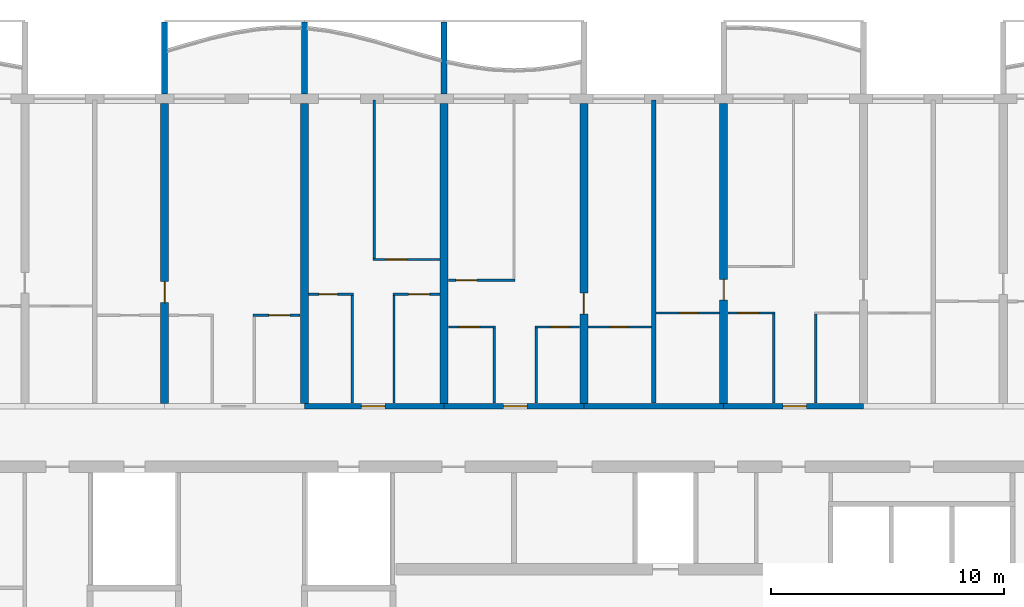
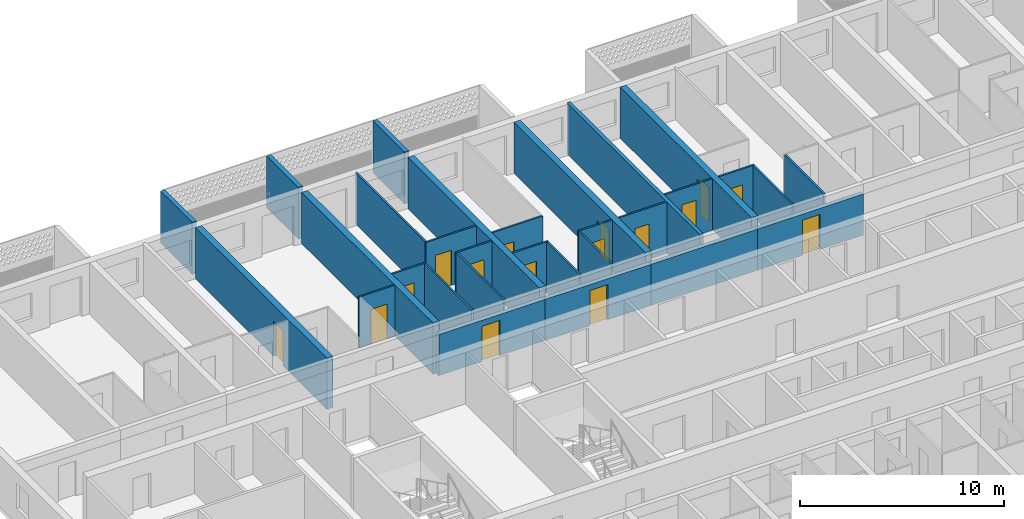
# One storey, part 10 of 31: 30 walls, 16 doors, 16 openings.
"""IFC4 building model written with IfcOpenShell, lengths in metres."""

import ifcopenshell
import ifcopenshell.guid

model = None  # the IFC model being written
_history = None  # IfcOwnerHistory: only IFC2X3 demands one
_inside = {}  # id of a spatial element -> (the spatial element, [elements in it])
_under = {}  # id of a project, library or spatial element -> (it, [spatial elements below it])
_declared = {}  # id of a project -> (the project, [libraries it declares])
_typed = {}  # id of a type object -> (the type object, [elements of that type])
_made_of = {}  # id of a material, layer set ... -> (it, [elements and type objects made of it])


def new_model(schema):
    """Start an empty IFC model of exactly this schema.

    Asked for "IFC4X3", IfcOpenShell would pick the latest addendum, in which some entities
    have other attributes; the version numbers below select the first issue.
    IFC2X3 requires an IfcOwnerHistory on every rooted entity: one is made here for all.
    """
    global model, _history
    if schema == "IFC4X3":
        model = ifcopenshell.file(schema_version=(4, 3, 0, 0))
    else:
        model = ifcopenshell.file(schema=schema)
    _inside.clear()
    _under.clear()
    _declared.clear()
    _typed.clear()
    _made_of.clear()
    _history = None
    if model.schema == "IFC2X3":
        org = make("IfcOrganization", Name="unknown")
        user = make(
            "IfcPersonAndOrganization",
            ThePerson=make("IfcPerson", FamilyName="unknown"),
            TheOrganization=org,
        )
        app = make(
            "IfcApplication",
            ApplicationDeveloper=org,
            Version="unknown",
            ApplicationFullName="unknown",
            ApplicationIdentifier="unknown",
        )
        _history = make(
            "IfcOwnerHistory",
            OwningUser=user,
            OwningApplication=app,
            ChangeAction="ADDED",
            CreationDate=0,
        )
    return model


def make(cls, **values):
    """One entity of the class cls with the attributes given. An attribute that is None is left unset."""
    return model.create_entity(
        cls, **{name: value for name, value in values.items() if value is not None}
    )


def rooted(cls, **values):
    """An entity with a GlobalId (a new one), such as an element, a storey or a relation."""
    return make(cls, GlobalId=ifcopenshell.guid.new(), OwnerHistory=_history, **values)


def si_unit(unit_type, name, prefix=None):
    """IfcSIUnit, for example si_unit("LENGTHUNIT", "METRE", prefix="MILLI")."""
    return make("IfcSIUnit", UnitType=unit_type, Prefix=prefix, Name=name)


def assignment(units):
    """IfcUnitAssignment: the units of a project."""
    return None if units is None else make("IfcUnitAssignment", Units=units)


def point(xyz):
    """IfcCartesianPoint."""
    return None if xyz is None else make("IfcCartesianPoint", Coordinates=xyz)


def direction(xyz):
    """IfcDirection."""
    return None if xyz is None else make("IfcDirection", DirectionRatios=xyz)


def frame(location, z_axis=None, x_axis=None):
    """IfcAxis2Placement3D, a coordinate frame: its origin and axes. An axis left out is left unset."""
    return make(
        "IfcAxis2Placement3D",
        Location=point(location),
        Axis=direction(z_axis),
        RefDirection=direction(x_axis),
    )


def frame_2d(location, x_axis=None):
    """IfcAxis2Placement2D, a coordinate frame in the plane: its origin and x axis."""
    return make(
        "IfcAxis2Placement2D", Location=point(location), RefDirection=direction(x_axis)
    )


def origin():
    """The frame at (0, 0, 0) with its axes left unset."""
    return frame((0.0, 0.0, 0.0))


def place(relative_to, where):
    """IfcLocalPlacement: puts the frame where relative to a parent placement (None: the world)."""
    return make(
        "IfcLocalPlacement", PlacementRelTo=relative_to, RelativePlacement=where
    )


def context(
    kind, dimensions, precision=None, world=None, true_north=None, identifier=None
):
    """IfcGeometricRepresentationContext, for example the 3D "Model" context."""
    return make(
        "IfcGeometricRepresentationContext",
        ContextIdentifier=identifier,
        ContextType=kind,
        CoordinateSpaceDimension=dimensions,
        Precision=precision,
        WorldCoordinateSystem=world,
        TrueNorth=true_north,
    )


def subcontext(parent, identifier, kind, view, scale=None):
    """IfcGeometricRepresentationSubContext, for example "Body" below "Model"."""
    return make(
        "IfcGeometricRepresentationSubContext",
        ContextIdentifier=identifier,
        ContextType=kind,
        ParentContext=parent,
        TargetScale=scale,
        TargetView=view,
    )


def project(units=None, contexts=None):
    """IfcProject with its units and contexts."""
    return rooted(
        "IfcProject",
        Name="project",
        RepresentationContexts=contexts,
        UnitsInContext=assignment(units),
    )


def spatial(cls, under=None, at=None, **own):
    """A site, building, storey or space (cls), placed at a placement, below another one or the project."""
    s = rooted(cls, ObjectPlacement=at, **own)
    if under is not None:
        _under.setdefault(under.id(), (under, []))[1].append(s)
    return s


def polyline(points):
    """IfcPolyline through the points."""
    return make("IfcPolyline", Points=[point(p) for p in points])


def profile(cls, at=None, kind="AREA", **sizes):
    """A parametric profile (cls). Its sizes go by their IFC names, for example OverallWidth=200.0."""
    return make(cls, ProfileType=kind, Position=at, **sizes)


def rectangle(**sizes):
    """IfcRectangleProfileDef."""
    return profile("IfcRectangleProfileDef", **sizes)


def outline(outer, holes=None, kind="AREA"):
    """IfcArbitraryClosedProfileDef: a profile drawn as a closed curve; with holes, ...WithVoids."""
    if holes is None:
        return make("IfcArbitraryClosedProfileDef", ProfileType=kind, OuterCurve=outer)
    return make(
        "IfcArbitraryProfileDefWithVoids",
        ProfileType=kind,
        OuterCurve=outer,
        InnerCurves=holes,
    )


def extrude(swept, where, along, depth):
    """IfcExtrudedAreaSolid: the profile swept, set in the frame where, extruded along a direction by depth."""
    return make(
        "IfcExtrudedAreaSolid",
        SweptArea=swept,
        Position=where,
        ExtrudedDirection=direction(along),
        Depth=depth,
    )


def shape(context_of_items, identifier, shape_type, items):
    """IfcShapeRepresentation: the items that make up one representation, for example the "Body"."""
    return make(
        "IfcShapeRepresentation",
        ContextOfItems=context_of_items,
        RepresentationIdentifier=identifier,
        RepresentationType=shape_type,
        Items=items,
    )


def source(mapping_origin, context_of_items, identifier, shape_type, items):
    """IfcRepresentationMap: a shape defined once, which mapped items show again and again."""
    return make(
        "IfcRepresentationMap",
        MappingOrigin=mapping_origin,
        MappedRepresentation=shape(context_of_items, identifier, shape_type, items),
    )


def transform(
    local_origin,
    x_axis=None,
    y_axis=None,
    z_axis=None,
    scale=None,
    scale2=None,
    scale3=None,
    uniform=True,
):
    """IfcCartesianTransformationOperator3D, or its non-uniform kind. x_axis, y_axis, z_axis: its Axis1, 2, 3."""
    if uniform:
        return make(
            "IfcCartesianTransformationOperator3D",
            Axis1=direction(x_axis),
            Axis2=direction(y_axis),
            LocalOrigin=point(local_origin),
            Scale=scale,
            Axis3=direction(z_axis),
        )
    return make(
        "IfcCartesianTransformationOperator3DnonUniform",
        Axis1=direction(x_axis),
        Axis2=direction(y_axis),
        LocalOrigin=point(local_origin),
        Scale=scale,
        Axis3=direction(z_axis),
        Scale2=scale2,
        Scale3=scale3,
    )


def mapped(mapping_source, mapping_target):
    """IfcMappedItem: shows the shape of a source again, moved by a transform."""
    return make(
        "IfcMappedItem", MappingSource=mapping_source, MappingTarget=mapping_target
    )


def material(Name=None, Category=None):
    """IfcMaterial."""
    return make("IfcMaterial", Name=Name, Category=Category)


def layer(
    of_material, thickness, ventilated=None, Name=None, Category=None, Priority=None
):
    """IfcMaterialLayer: one layer of a wall or slab, of a material (None: an air gap)."""
    return make(
        "IfcMaterialLayer",
        Material=of_material,
        LayerThickness=thickness,
        IsVentilated=ventilated,
        Name=Name,
        Category=Category,
        Priority=Priority,
    )


def layer_set(layers, Name=None):
    """IfcMaterialLayerSet."""
    return make("IfcMaterialLayerSet", MaterialLayers=layers, LayerSetName=Name)


def made_of(thing, what):
    """Note that an element or type object is made of a material, layer set ...; save() writes the relation."""
    if what is not None:
        _made_of.setdefault(what.id(), (what, []))[1].append(thing)
    return thing


def type_object(cls, material=None, **own):
    """A type object (cls), such as IfcWallType, which elements share."""
    return made_of(rooted(cls, **own), material)


def element(
    cls,
    number,
    at=None,
    inside=None,
    cuts=None,
    type_object=None,
    material=None,
    context=None,
    identifier="Body",
    shape_type=None,
    held_by="IfcProductDefinitionShape",
    body=None,
    shapes=None,
    **own,
):
    """One element of the class cls, such as IfcWall. Its Tag is "e" and its number.

    at: its placement. inside: the storey or other place that contains it. cuts: it is an
    opening in that element (IfcRelVoidsElement). A single representation is given by context,
    identifier, shape_type and body (its items); several are given by shapes. held_by: the class
    of the entity that holds the representations. save() writes the other relations.
    """
    e = rooted(cls, Tag="e%d" % number, ObjectPlacement=at, **own)
    if body is not None:
        shapes = [shape(context, identifier, shape_type, body)]
    if shapes is not None:
        e.Representation = make(held_by, Representations=shapes)
    if inside is not None:
        _inside.setdefault(inside.id(), (inside, []))[1].append(e)
    if cuts is not None:
        rooted(
            "IfcRelVoidsElement", RelatingBuildingElement=cuts, RelatedOpeningElement=e
        )
    if type_object is not None:
        _typed.setdefault(type_object.id(), (type_object, []))[1].append(e)
    return made_of(e, material)


def fill(opening, filler):
    """IfcRelFillsElement: the door or window that sits in an opening."""
    return rooted(
        "IfcRelFillsElement",
        RelatingOpeningElement=opening,
        RelatedBuildingElement=filler,
    )


def aggregate(whole, parts):
    """IfcRelAggregates: a whole, such as a stair, and the parts it consists of."""
    return rooted("IfcRelAggregates", RelatingObject=whole, RelatedObjects=parts)


def save(model, path):
    """Write the relations noted so far, then the file.

    IfcRelAggregates (storeys below a building ...), IfcRelContainedInSpatialStructure (elements
    in a storey), IfcRelDefinesByType, IfcRelAssociatesMaterial and IfcRelDeclares: one each for
    every whole, place, type object, material and project.
    """
    for whole, parts in _under.values():
        aggregate(whole, parts)
    for where, things in _inside.values():
        rooted(
            "IfcRelContainedInSpatialStructure",
            RelatedElements=things,
            RelatingStructure=where,
        )
    for kind, things in _typed.values():
        rooted("IfcRelDefinesByType", RelatedObjects=things, RelatingType=kind)
    for what, things in _made_of.values():
        rooted("IfcRelAssociatesMaterial", RelatedObjects=things, RelatingMaterial=what)
    for by, libraries in _declared.values():
        rooted("IfcRelDeclares", RelatingContext=by, RelatedDefinitions=libraries)
    model.write(path)


model = new_model("IFC4")

# Units and contexts
model_context = context("Model", 3, precision=1e-05, world=origin(), true_north=direction((0.0, 1.0)))
body_context = subcontext(model_context, "Body", "Model", "MODEL_VIEW")
ifc_project = project(units=[si_unit("LENGTHUNIT", "METRE"), si_unit("AREAUNIT", "SQUARE_METRE"), si_unit("VOLUMEUNIT", "CUBIC_METRE"), si_unit("PLANEANGLEUNIT", "RADIAN"), si_unit("MASSUNIT", "GRAM", prefix="KILO")], contexts=[model_context])

# Site, building, storey
site_placement = place(None, origin())
site = spatial("IfcSite", under=ifc_project, at=site_placement, CompositionType="ELEMENT")
building_placement = place(site_placement, origin())
building = spatial("IfcBuilding", under=site, at=building_placement, Name="Poui Terraces", CompositionType="ELEMENT")
storey_placement = place(building_placement, frame((0.0, 0.0, 82.800048828125)))
storey = spatial("IfcBuildingStorey", under=building, at=storey_placement, Name="L22", CompositionType="ELEMENT", Elevation=82.800048828125)

# Wall, opening, door
ifc_material_1 = material(Name="Concrete 65 MPa", Category="concrete")
ifc_layer_1 = layer(ifc_material_1, 0.25)
ifc_layer_set_1 = layer_set([ifc_layer_1], Name="Concrete 65 MPa")
wall_type_1 = type_object("IfcWallType", Name="CORRIDOR WALL 250 65MPa", PredefinedType="SHEAR", material=ifc_layer_set_1)
wall_1_placement = place(storey_placement, frame((30.0, 30.39990234375, 0.0), z_axis=(0.0, 0.0, 1.0), x_axis=(1.0, 0.0, 0.0)))
wall_1 = element("IfcWall", 1, at=wall_1_placement, inside=storey, type_object=wall_type_1, Name="CORRIDOR WALL LINE E BAY 5", PredefinedType="SHEAR", context=body_context, shape_type="SweptSolid", body=[
    extrude(rectangle(XDim=6.0, YDim=0.25, at=frame_2d((3.0, 0.0))), origin(), (0.0, 0.0, 1.0), 2.4599609375),
])
opening_1_placement = place(wall_1_placement, frame((2.449951171875, 0.0, 0.0)))
opening_1 = element("IfcOpeningElement", 2, at=opening_1_placement, cuts=wall_1, Name="Opening FD30S", PredefinedType="OPENING", context=body_context, shape_type="SweptSolid", body=[
    extrude(rectangle(XDim=1.0, YDim=2.10009765625, at=frame_2d((0.5, 1.050048828125))), frame((0.0, 0.135009765625, 0.0), z_axis=(0.0, -1.0, 0.0), x_axis=(1.0, 0.0, 0.0)), (0.0, 0.0, 1.0), 0.27001953125),
])
ifc_material_2 = material(Name="Steel fire door", Category="steel")
door_type_1 = type_object("IfcDoorType", Name="FLAT ENTRANCE DOOR 1000 X 2100", OperationType="NOTDEFINED", PredefinedType="DOOR", material=ifc_material_2)
door_1_placement = place(opening_1_placement, origin())
door_1 = element("IfcDoor", 3, at=door_1_placement, inside=storey, type_object=door_type_1, Name="FLAT ENTRANCE DOOR 044", OperationType="SINGLE_SWING_LEFT", OverallHeight=2.10009765625, OverallWidth=1.0, PredefinedType="DOOR", context=body_context, shape_type="SweptSolid", body=[
    extrude(rectangle(XDim=1.0, YDim=2.10009765625, at=frame_2d((0.5, 1.050048828125))), frame((0.0, 0.02490234375, 0.0), z_axis=(0.0, -1.0, 0.0), x_axis=(1.0, 0.0, 0.0)), (0.0, 0.0, 1.0), 0.050048828125),
])
fill(opening_1, door_1)

wall_2_placement = place(storey_placement, frame((36.0, 30.39990234375, 0.0), z_axis=(0.0, 0.0, 1.0), x_axis=(1.0, 0.0, 0.0)))
wall_2 = element("IfcWall", 4, at=wall_2_placement, inside=storey, type_object=wall_type_1, Name="CORRIDOR WALL LINE E BAY 6", PredefinedType="SHEAR", context=body_context, shape_type="SweptSolid", body=[
    extrude(rectangle(XDim=6.0, YDim=0.25, at=frame_2d((3.0, 0.0))), origin(), (0.0, 0.0, 1.0), 2.4599609375),
])
opening_2_placement = place(wall_2_placement, frame((2.550048828125, 0.0, 0.0)))
opening_2 = element("IfcOpeningElement", 5, at=opening_2_placement, cuts=wall_2, Name="Opening FD30S", PredefinedType="OPENING", context=body_context, shape_type="SweptSolid", body=[
    extrude(rectangle(XDim=1.0, YDim=2.10009765625, at=frame_2d((0.5, 1.050048828125))), frame((0.0, 0.135009765625, 0.0), z_axis=(0.0, -1.0, 0.0), x_axis=(1.0, 0.0, 0.0)), (0.0, 0.0, 1.0), 0.27001953125),
])
door_2_placement = place(opening_2_placement, origin())
door_2 = element("IfcDoor", 6, at=door_2_placement, inside=storey, type_object=door_type_1, Name="FLAT ENTRANCE DOOR 050", OperationType="SINGLE_SWING_RIGHT", OverallHeight=2.10009765625, OverallWidth=1.0, PredefinedType="DOOR", context=body_context, shape_type="SweptSolid", body=[
    extrude(rectangle(XDim=1.0, YDim=2.10009765625, at=frame_2d((0.5, 1.050048828125))), frame((0.0, 0.02490234375, 0.0), z_axis=(0.0, -1.0, 0.0), x_axis=(1.0, 0.0, 0.0)), (0.0, 0.0, 1.0), 0.050048828125),
])
fill(opening_2, door_2)

# Wall
wall_3_placement = place(storey_placement, frame((42.0, 30.39990234375, 0.0), z_axis=(0.0, 0.0, 1.0), x_axis=(1.0, 0.0, 0.0)))
element("IfcWall", 7, at=wall_3_placement, inside=storey, type_object=wall_type_1, Name="CORRIDOR WALL LINE E BAY 7", PredefinedType="SHEAR", context=body_context, shape_type="SweptSolid", body=[
    extrude(rectangle(XDim=6.0, YDim=0.25, at=frame_2d((3.0, 0.0))), origin(), (0.0, 0.0, 1.0), 2.4599609375),
])

# Wall, opening, door
wall_4_placement = place(storey_placement, frame((48.0, 30.39990234375, 0.0), z_axis=(0.0, 0.0, 1.0), x_axis=(1.0, 0.0, 0.0)))
wall_4 = element("IfcWall", 8, at=wall_4_placement, inside=storey, type_object=wall_type_1, Name="CORRIDOR WALL LINE E BAY 8", PredefinedType="SHEAR", context=body_context, shape_type="SweptSolid", body=[
    extrude(rectangle(XDim=6.0, YDim=0.25, at=frame_2d((3.0, 0.0))), origin(), (0.0, 0.0, 1.0), 2.4599609375),
])
opening_3_placement = place(wall_4_placement, frame((2.550048828125, 0.0, 0.0)))
opening_3 = element("IfcOpeningElement", 9, at=opening_3_placement, cuts=wall_4, Name="Opening FD30S", PredefinedType="OPENING", context=body_context, shape_type="SweptSolid", body=[
    extrude(rectangle(XDim=1.0, YDim=2.10009765625, at=frame_2d((0.5, 1.050048828125))), frame((0.0, 0.135009765625, 0.0), z_axis=(0.0, -1.0, 0.0), x_axis=(1.0, 0.0, 0.0)), (0.0, 0.0, 1.0), 0.27001953125),
])
door_3_placement = place(opening_3_placement, origin())
door_3 = element("IfcDoor", 10, at=door_3_placement, inside=storey, type_object=door_type_1, Name="FLAT ENTRANCE DOOR 058", OperationType="SINGLE_SWING_RIGHT", OverallHeight=2.10009765625, OverallWidth=1.0, PredefinedType="DOOR", context=body_context, shape_type="SweptSolid", body=[
    extrude(rectangle(XDim=1.0, YDim=2.10009765625, at=frame_2d((0.5, 1.050048828125))), frame((0.0, 0.02490234375, 0.0), z_axis=(0.0, -1.0, 0.0), x_axis=(1.0, 0.0, 0.0)), (0.0, 0.0, 1.0), 0.050048828125),
])
fill(opening_3, door_3)

ifc_layer_2 = layer(ifc_material_1, 0.35009765625)
ifc_layer_set_2 = layer_set([ifc_layer_2], Name="Concrete 65 MPa")
wall_type_2 = type_object("IfcWallType", Name="CROSS WALL 350 65MPa", PredefinedType="SHEAR", material=ifc_layer_set_2)
wall_5_placement = place(storey_placement, frame((24.0, 30.52490234375, 0.0), z_axis=(0.0, 0.0, 1.0), x_axis=(0.0, 1.0, 0.0)))
wall_5 = element("IfcWall", 11, at=wall_5_placement, inside=storey, type_object=wall_type_2, Name="CROSS WALL LINE 5 NORTH", PredefinedType="SHEAR", context=body_context, shape_type="SweptSolid", body=[
    extrude(rectangle(XDim=12.875, YDim=0.35009765625, at=frame_2d((6.4375, 0.0))), origin(), (0.0, 0.0, 1.0), 3.06005859375),
])
opening_4_placement = place(wall_5_placement, frame((4.324951171875, 0.0, 0.0)))
opening_4 = element("IfcOpeningElement", 12, at=opening_4_placement, cuts=wall_5, Name="Opening D90", PredefinedType="OPENING", context=body_context, shape_type="SweptSolid", body=[
    extrude(rectangle(XDim=0.89990234375, YDim=2.10009765625, at=frame_2d((0.449951171875, 1.050048828125))), frame((0.0, 0.18505859375, 0.0), z_axis=(0.0, -1.0, 0.0), x_axis=(1.0, 0.0, 0.0)), (0.0, 0.0, 1.0), 0.3701171875),
])
ifc_material_3 = material(Name="Solid core timber door", Category="wood")
door_type_2 = type_object("IfcDoorType", Name="INTERNAL DOOR 900 X 2100", OperationType="NOTDEFINED", PredefinedType="DOOR", material=ifc_material_3)
door_4_placement = place(opening_4_placement, origin())
door_4 = element("IfcDoor", 13, at=door_4_placement, inside=storey, type_object=door_type_2, Name="INTERNAL DOOR 039", OperationType="SINGLE_SWING_LEFT", OverallHeight=2.10009765625, OverallWidth=0.89990234375, PredefinedType="DOOR", context=body_context, shape_type="SweptSolid", body=[
    extrude(rectangle(XDim=0.89990234375, YDim=2.10009765625, at=frame_2d((0.449951171875, 1.050048828125))), frame((0.0, 0.02490234375, 0.0), z_axis=(0.0, -1.0, 0.0), x_axis=(1.0, 0.0, 0.0)), (0.0, 0.0, 1.0), 0.050048828125),
])
fill(opening_4, door_4)

# Walls
for number, where, z_axis, x_axis, name in (
    (14, (30.0, 30.52490234375, 0.0), (0.0, 0.0, 1.0), (0.0, 1.0, 0.0), "CROSS WALL LINE 6 NORTH"),
    (15, (36.0, 30.52490234375, 0.0), (0.0, 0.0, 1.0), (0.0, 1.0, 0.0), "CROSS WALL LINE 7 NORTH"),
):
    element("IfcWall", number, at=place(storey_placement, frame(where, z_axis=z_axis, x_axis=x_axis)), inside=storey, type_object=wall_type_2, Name=name, PredefinedType="SHEAR", context=body_context, shape_type="SweptSolid", body=[
        extrude(rectangle(XDim=12.875, YDim=0.35009765625, at=frame_2d((6.4375, 0.0))), origin(), (0.0, 0.0, 1.0), 3.06005859375),
    ])

# Wall, opening, door
wall_6_placement = place(storey_placement, frame((42.0, 30.52490234375, 0.0), z_axis=(0.0, 0.0, 1.0), x_axis=(0.0, 1.0, 0.0)))
wall_6 = element("IfcWall", 16, at=wall_6_placement, inside=storey, type_object=wall_type_2, Name="CROSS WALL LINE 8 NORTH", PredefinedType="SHEAR", context=body_context, shape_type="SweptSolid", body=[
    extrude(rectangle(XDim=12.875, YDim=0.35009765625, at=frame_2d((6.4375, 0.0))), origin(), (0.0, 0.0, 1.0), 3.06005859375),
])
opening_5_placement = place(wall_6_placement, frame((3.824951171875, 0.0, 0.0)))
opening_5 = element("IfcOpeningElement", 17, at=opening_5_placement, cuts=wall_6, Name="Opening D90", PredefinedType="OPENING", context=body_context, shape_type="SweptSolid", body=[
    extrude(rectangle(XDim=0.89990234375, YDim=2.10009765625, at=frame_2d((0.449951171875, 1.050048828125))), frame((0.0, 0.18505859375, 0.0), z_axis=(0.0, -1.0, 0.0), x_axis=(1.0, 0.0, 0.0)), (0.0, 0.0, 1.0), 0.3701171875),
])
door_5_placement = place(opening_5_placement, frame((0.89990234375, 0.0, 0.0), z_axis=(0.0, 0.0, 1.0), x_axis=(-1.0, 0.0, 0.0)))
door_5 = element("IfcDoor", 18, at=door_5_placement, inside=storey, type_object=door_type_2, Name="INTERNAL DOOR 052", OperationType="SINGLE_SWING_RIGHT", OverallHeight=2.10009765625, OverallWidth=0.89990234375, PredefinedType="DOOR", context=body_context, shape_type="SweptSolid", body=[
    extrude(rectangle(XDim=0.89990234375, YDim=2.10009765625, at=frame_2d((0.449951171875, 1.050048828125))), frame((0.0, 0.02490234375, 0.0), z_axis=(0.0, -1.0, 0.0), x_axis=(1.0, 0.0, 0.0)), (0.0, 0.0, 1.0), 0.050048828125),
])
fill(opening_5, door_5)

wall_7_placement = place(storey_placement, frame((48.0, 30.52490234375, 0.0), z_axis=(0.0, 0.0, 1.0), x_axis=(0.0, 1.0, 0.0)))
wall_7 = element("IfcWall", 19, at=wall_7_placement, inside=storey, type_object=wall_type_2, Name="CROSS WALL LINE 9 NORTH", PredefinedType="SHEAR", context=body_context, shape_type="SweptSolid", body=[
    extrude(rectangle(XDim=12.875, YDim=0.35009765625, at=frame_2d((6.4375, 0.0))), origin(), (0.0, 0.0, 1.0), 3.06005859375),
])
opening_6_placement = place(wall_7_placement, frame((4.425048828125, 0.0, 0.0)))
opening_6 = element("IfcOpeningElement", 20, at=opening_6_placement, cuts=wall_7, Name="Opening D90", PredefinedType="OPENING", context=body_context, shape_type="SweptSolid", body=[
    extrude(rectangle(XDim=0.89990234375, YDim=2.10009765625, at=frame_2d((0.449951171875, 1.050048828125))), frame((0.0, 0.18505859375, 0.0), z_axis=(0.0, -1.0, 0.0), x_axis=(1.0, 0.0, 0.0)), (0.0, 0.0, 1.0), 0.3701171875),
])
door_6_placement = place(opening_6_placement, origin())
door_6 = element("IfcDoor", 21, at=door_6_placement, inside=storey, type_object=door_type_2, Name="INTERNAL DOOR 055", OperationType="SINGLE_SWING_LEFT", OverallHeight=2.10009765625, OverallWidth=0.89990234375, PredefinedType="DOOR", context=body_context, shape_type="SweptSolid", body=[
    extrude(rectangle(XDim=0.89990234375, YDim=2.10009765625, at=frame_2d((0.449951171875, 1.050048828125))), frame((0.0, 0.02490234375, 0.0), z_axis=(0.0, -1.0, 0.0), x_axis=(1.0, 0.0, 0.0)), (0.0, 0.0, 1.0), 0.050048828125),
])
fill(opening_6, door_6)

ifc_material_4 = material(Name="Plasterboard partition")
ifc_layer_3 = layer(ifc_material_4, 0.10009765625)
ifc_layer_set_3 = layer_set([ifc_layer_3], Name="Plasterboard partition")
wall_type_3 = type_object("IfcWallType", Name="FLAT PARTITION 100", PredefinedType="PARTITIONING", material=ifc_layer_set_3)
wall_8_placement = place(storey_placement, frame((36.18505859375, 33.800048828125, 0.0), z_axis=(0.0, 0.0, 1.0), x_axis=(1.0, 0.0, 0.0)))
wall_8 = element("IfcWall", 22, at=wall_8_placement, inside=storey, type_object=wall_type_3, Name="FLAT PARTITION 100", PredefinedType="PARTITIONING", context=body_context, shape_type="SweptSolid", body=[
    extrude(rectangle(XDim=2.014892578125, YDim=0.10009765625, at=frame_2d((1.00732421875, 0.0))), origin(), (0.0, 0.0, 1.0), 3.06005859375),
])
opening_7_placement = place(wall_8_placement, frame((0.43994140625, 0.0, 0.0)))
opening_7 = element("IfcOpeningElement", 23, at=opening_7_placement, cuts=wall_8, Name="Opening D90", PredefinedType="OPENING", context=body_context, shape_type="SweptSolid", body=[
    extrude(rectangle(XDim=0.89990234375, YDim=2.10009765625, at=frame_2d((0.449951171875, 1.050048828125))), frame((0.0, 0.06005859375, 0.0), z_axis=(0.0, -1.0, 0.0), x_axis=(1.0, 0.0, 0.0)), (0.0, 0.0, 1.0), 0.1201171875),
])
door_7_placement = place(opening_7_placement, frame((0.89990234375, 0.0, 0.0), z_axis=(0.0, 0.0, 1.0), x_axis=(-1.0, 0.0, 0.0)))
door_7 = element("IfcDoor", 24, at=door_7_placement, inside=storey, type_object=door_type_2, Name="INTERNAL DOOR 049", OperationType="SINGLE_SWING_RIGHT", OverallHeight=2.10009765625, OverallWidth=0.89990234375, PredefinedType="DOOR", context=body_context, shape_type="SweptSolid", body=[
    extrude(rectangle(XDim=0.89990234375, YDim=2.10009765625, at=frame_2d((0.449951171875, 1.050048828125))), frame((0.0, 0.02490234375, 0.0), z_axis=(0.0, -1.0, 0.0), x_axis=(1.0, 0.0, 0.0)), (0.0, 0.0, 1.0), 0.050048828125),
])
fill(opening_7, door_7)

wall_9_placement = place(storey_placement, frame((39.89990234375, 33.800048828125, 0.0), z_axis=(0.0, 0.0, 1.0), x_axis=(1.0, 0.0, 0.0)))
wall_9 = element("IfcWall", 25, at=wall_9_placement, inside=storey, type_object=wall_type_3, Name="FLAT PARTITION 100", PredefinedType="PARTITIONING", context=body_context, shape_type="SweptSolid", body=[
    extrude(rectangle(XDim=1.9150390625, YDim=0.10009765625, at=frame_2d((0.95751953125, 0.0))), origin(), (0.0, 0.0, 1.0), 3.06005859375),
])
opening_8_placement = place(wall_9_placement, frame((0.675048828125, 0.0, 0.0)))
opening_8 = element("IfcOpeningElement", 26, at=opening_8_placement, cuts=wall_9, Name="Opening D80", PredefinedType="OPENING", context=body_context, shape_type="SweptSolid", body=[
    extrude(rectangle(XDim=0.800048828125, YDim=2.10009765625, at=frame_2d((0.39990234375, 1.050048828125))), frame((0.0, 0.06005859375, 0.0), z_axis=(0.0, -1.0, 0.0), x_axis=(1.0, 0.0, 0.0)), (0.0, 0.0, 1.0), 0.1201171875),
])
door_type_3 = type_object("IfcDoorType", Name="BATHROOM, LAUNDRY AND STORE DOOR 800 X 2100", OperationType="NOTDEFINED", PredefinedType="DOOR", material=ifc_material_3)
door_8_placement = place(opening_8_placement, frame((0.800048828125, 0.0, 0.0), z_axis=(0.0, 0.0, 1.0), x_axis=(-1.0, 0.0, 0.0)))
door_8 = element("IfcDoor", 27, at=door_8_placement, inside=storey, type_object=door_type_3, Name="BATHROOM, LAUNDRY AND STORE DOOR 051", OperationType="SINGLE_SWING_LEFT", OverallHeight=2.10009765625, OverallWidth=0.800048828125, PredefinedType="DOOR", context=body_context, shape_type="SweptSolid", body=[
    extrude(rectangle(XDim=0.800048828125, YDim=2.10009765625, at=frame_2d((0.39990234375, 1.050048828125))), frame((0.0, 0.02490234375, 0.0), z_axis=(0.0, -1.0, 0.0), x_axis=(1.0, 0.0, 0.0)), (0.0, 0.0, 1.0), 0.050048828125),
])
fill(opening_8, door_8)

wall_10_placement = place(storey_placement, frame((42.18505859375, 33.800048828125, 0.0), z_axis=(0.0, 0.0, 1.0), x_axis=(1.0, 0.0, 0.0)))
wall_10 = element("IfcWall", 28, at=wall_10_placement, inside=storey, type_object=wall_type_3, Name="FLAT PARTITION 100", PredefinedType="PARTITIONING", context=body_context, shape_type="SweptSolid", body=[
    extrude(rectangle(XDim=2.71484375, YDim=0.10009765625, at=frame_2d((1.357421875, 0.0))), origin(), (0.0, 0.0, 1.0), 3.06005859375),
])
opening_9_placement = place(wall_10_placement, frame((0.9150390625, 0.0, 0.0)))
opening_9 = element("IfcOpeningElement", 29, at=opening_9_placement, cuts=wall_10, Name="Opening D80", PredefinedType="OPENING", context=body_context, shape_type="SweptSolid", body=[
    extrude(rectangle(XDim=0.800048828125, YDim=2.10009765625, at=frame_2d((0.39990234375, 1.050048828125))), frame((0.0, 0.06005859375, 0.0), z_axis=(0.0, -1.0, 0.0), x_axis=(1.0, 0.0, 0.0)), (0.0, 0.0, 1.0), 0.1201171875),
])
door_9_placement = place(opening_9_placement, frame((0.800048828125, 0.0, 0.0), z_axis=(0.0, 0.0, 1.0), x_axis=(-1.0, 0.0, 0.0)))
door_9 = element("IfcDoor", 30, at=door_9_placement, inside=storey, type_object=door_type_3, Name="BATHROOM, LAUNDRY AND STORE DOOR 047", OperationType="SINGLE_SWING_RIGHT", OverallHeight=2.10009765625, OverallWidth=0.800048828125, PredefinedType="DOOR", context=body_context, shape_type="SweptSolid", body=[
    extrude(rectangle(XDim=0.800048828125, YDim=2.10009765625, at=frame_2d((0.39990234375, 1.050048828125))), frame((0.0, 0.02490234375, 0.0), z_axis=(0.0, -1.0, 0.0), x_axis=(1.0, 0.0, 0.0)), (0.0, 0.0, 1.0), 0.050048828125),
])
fill(opening_9, door_9)

wall_11_placement = place(storey_placement, frame((27.800048828125, 34.300048828125, 0.0), z_axis=(0.0, 0.0, 1.0), x_axis=(1.0, 0.0, 0.0)))
wall_11 = element("IfcWall", 31, at=wall_11_placement, inside=storey, type_object=wall_type_3, Name="FLAT PARTITION 100", PredefinedType="PARTITIONING", context=body_context, shape_type="SweptSolid", body=[
    extrude(rectangle(XDim=2.014892578125, YDim=0.10009765625, at=frame_2d((1.00732421875, 0.0))), origin(), (0.0, 0.0, 1.0), 3.06005859375),
])
opening_10_placement = place(wall_11_placement, frame((0.675048828125, 0.0, 0.0)))
opening_10 = element("IfcOpeningElement", 32, at=opening_10_placement, cuts=wall_11, Name="Opening D90", PredefinedType="OPENING", context=body_context, shape_type="SweptSolid", body=[
    extrude(rectangle(XDim=0.89990234375, YDim=2.10009765625, at=frame_2d((0.449951171875, 1.050048828125))), frame((0.0, 0.06005859375, 0.0), z_axis=(0.0, -1.0, 0.0), x_axis=(1.0, 0.0, 0.0)), (0.0, 0.0, 1.0), 0.1201171875),
])
door_10_placement = place(opening_10_placement, frame((0.89990234375, 0.0, 0.0), z_axis=(0.0, 0.0, 1.0), x_axis=(-1.0, 0.0, 0.0)))
door_10 = element("IfcDoor", 33, at=door_10_placement, inside=storey, type_object=door_type_2, Name="INTERNAL DOOR 042", OperationType="SINGLE_SWING_RIGHT", OverallHeight=2.10009765625, OverallWidth=0.89990234375, PredefinedType="DOOR", context=body_context, shape_type="SweptSolid", body=[
    extrude(rectangle(XDim=0.89990234375, YDim=2.10009765625, at=frame_2d((0.449951171875, 1.050048828125))), frame((0.0, 0.02490234375, 0.0), z_axis=(0.0, -1.0, 0.0), x_axis=(1.0, 0.0, 0.0)), (0.0, 0.0, 1.0), 0.050048828125),
])
fill(opening_10, door_10)

wall_12_placement = place(storey_placement, frame((45.10009765625, 34.39990234375, 0.0), z_axis=(0.0, 0.0, 1.0), x_axis=(1.0, 0.0, 0.0)))
wall_12 = element("IfcWall", 34, at=wall_12_placement, inside=storey, type_object=wall_type_3, Name="FLAT PARTITION 100", PredefinedType="PARTITIONING", context=body_context, shape_type="SweptSolid", body=[
    extrude(rectangle(XDim=2.71484375, YDim=0.10009765625, at=frame_2d((1.357421875, 0.0))), origin(), (0.0, 0.0, 1.0), 3.06005859375),
])
opening_11_placement = place(wall_12_placement, frame((1.0, 0.0, 0.0)))
opening_11 = element("IfcOpeningElement", 35, at=opening_11_placement, cuts=wall_12, Name="Opening D80", PredefinedType="OPENING", context=body_context, shape_type="SweptSolid", body=[
    extrude(rectangle(XDim=0.800048828125, YDim=2.10009765625, at=frame_2d((0.39990234375, 1.050048828125))), frame((0.0, 0.06005859375, 0.0), z_axis=(0.0, -1.0, 0.0), x_axis=(1.0, 0.0, 0.0)), (0.0, 0.0, 1.0), 0.1201171875),
])
door_11_placement = place(opening_11_placement, frame((0.800048828125, 0.0, 0.0), z_axis=(0.0, 0.0, 1.0), x_axis=(-1.0, 0.0, 0.0)))
door_11 = element("IfcDoor", 36, at=door_11_placement, inside=storey, type_object=door_type_3, Name="BATHROOM, LAUNDRY AND STORE DOOR 053", OperationType="SINGLE_SWING_LEFT", OverallHeight=2.10009765625, OverallWidth=0.800048828125, PredefinedType="DOOR", context=body_context, shape_type="SweptSolid", body=[
    extrude(rectangle(XDim=0.800048828125, YDim=2.10009765625, at=frame_2d((0.39990234375, 1.050048828125))), frame((0.0, 0.02490234375, 0.0), z_axis=(0.0, -1.0, 0.0), x_axis=(1.0, 0.0, 0.0)), (0.0, 0.0, 1.0), 0.050048828125),
])
fill(opening_11, door_11)

wall_13_placement = place(storey_placement, frame((48.18505859375, 34.39990234375, 0.0), z_axis=(0.0, 0.0, 1.0), x_axis=(1.0, 0.0, 0.0)))
wall_13 = element("IfcWall", 37, at=wall_13_placement, inside=storey, type_object=wall_type_3, Name="FLAT PARTITION 100", PredefinedType="PARTITIONING", context=body_context, shape_type="SweptSolid", body=[
    extrude(rectangle(XDim=2.014892578125, YDim=0.10009765625, at=frame_2d((1.00732421875, 0.0))), origin(), (0.0, 0.0, 1.0), 3.06005859375),
])
opening_12_placement = place(wall_13_placement, frame((0.43994140625, 0.0, 0.0)))
opening_12 = element("IfcOpeningElement", 38, at=opening_12_placement, cuts=wall_13, Name="Opening D90", PredefinedType="OPENING", context=body_context, shape_type="SweptSolid", body=[
    extrude(rectangle(XDim=0.89990234375, YDim=2.10009765625, at=frame_2d((0.449951171875, 1.050048828125))), frame((0.0, 0.06005859375, 0.0), z_axis=(0.0, -1.0, 0.0), x_axis=(1.0, 0.0, 0.0)), (0.0, 0.0, 1.0), 0.1201171875),
])
door_12_placement = place(opening_12_placement, frame((0.89990234375, 0.0, 0.0), z_axis=(0.0, 0.0, 1.0), x_axis=(-1.0, 0.0, 0.0)))
door_12 = element("IfcDoor", 39, at=door_12_placement, inside=storey, type_object=door_type_2, Name="INTERNAL DOOR 056", OperationType="SINGLE_SWING_LEFT", OverallHeight=2.10009765625, OverallWidth=0.89990234375, PredefinedType="DOOR", context=body_context, shape_type="SweptSolid", body=[
    extrude(rectangle(XDim=0.89990234375, YDim=2.10009765625, at=frame_2d((0.449951171875, 1.050048828125))), frame((0.0, 0.02490234375, 0.0), z_axis=(0.0, -1.0, 0.0), x_axis=(1.0, 0.0, 0.0)), (0.0, 0.0, 1.0), 0.050048828125),
])
fill(opening_12, door_12)

wall_14_placement = place(storey_placement, frame((30.18505859375, 35.199951171875, 0.0), z_axis=(0.0, 0.0, 1.0), x_axis=(1.0, 0.0, 0.0)))
wall_14 = element("IfcWall", 40, at=wall_14_placement, inside=storey, type_object=wall_type_3, Name="FLAT PARTITION 100", PredefinedType="PARTITIONING", context=body_context, shape_type="SweptSolid", body=[
    extrude(rectangle(XDim=1.9150390625, YDim=0.10009765625, at=frame_2d((0.95751953125, 0.0))), origin(), (0.0, 0.0, 1.0), 3.06005859375),
])
opening_13_placement = place(wall_14_placement, frame((0.43994140625, 0.0, 0.0)))
opening_13 = element("IfcOpeningElement", 41, at=opening_13_placement, cuts=wall_14, Name="Opening D80", PredefinedType="OPENING", context=body_context, shape_type="SweptSolid", body=[
    extrude(rectangle(XDim=0.800048828125, YDim=2.10009765625, at=frame_2d((0.39990234375, 1.050048828125))), frame((0.0, 0.06005859375, 0.0), z_axis=(0.0, -1.0, 0.0), x_axis=(1.0, 0.0, 0.0)), (0.0, 0.0, 1.0), 0.1201171875),
])
door_13_placement = place(opening_13_placement, frame((0.800048828125, 0.0, 0.0), z_axis=(0.0, 0.0, 1.0), x_axis=(-1.0, 0.0, 0.0)))
door_13 = element("IfcDoor", 42, at=door_13_placement, inside=storey, type_object=door_type_3, Name="BATHROOM, LAUNDRY AND STORE DOOR 043", OperationType="SINGLE_SWING_LEFT", OverallHeight=2.10009765625, OverallWidth=0.800048828125, PredefinedType="DOOR", context=body_context, shape_type="SweptSolid", body=[
    extrude(rectangle(XDim=0.800048828125, YDim=2.10009765625, at=frame_2d((0.39990234375, 1.050048828125))), frame((0.0, 0.02490234375, 0.0), z_axis=(0.0, -1.0, 0.0), x_axis=(1.0, 0.0, 0.0)), (0.0, 0.0, 1.0), 0.050048828125),
])
fill(opening_13, door_13)

wall_15_placement = place(storey_placement, frame((33.800048828125, 35.199951171875, 0.0), z_axis=(0.0, 0.0, 1.0), x_axis=(1.0, 0.0, 0.0)))
wall_15 = element("IfcWall", 43, at=wall_15_placement, inside=storey, type_object=wall_type_3, Name="FLAT PARTITION 100", PredefinedType="PARTITIONING", context=body_context, shape_type="SweptSolid", body=[
    extrude(rectangle(XDim=2.014892578125, YDim=0.10009765625, at=frame_2d((1.00732421875, 0.0))), origin(), (0.0, 0.0, 1.0), 3.06005859375),
])
opening_14_placement = place(wall_15_placement, frame((0.675048828125, 0.0, 0.0)))
opening_14 = element("IfcOpeningElement", 44, at=opening_14_placement, cuts=wall_15, Name="Opening D90", PredefinedType="OPENING", context=body_context, shape_type="SweptSolid", body=[
    extrude(rectangle(XDim=0.89990234375, YDim=2.10009765625, at=frame_2d((0.449951171875, 1.050048828125))), frame((0.0, 0.06005859375, 0.0), z_axis=(0.0, -1.0, 0.0), x_axis=(1.0, 0.0, 0.0)), (0.0, 0.0, 1.0), 0.1201171875),
])
door_14_placement = place(opening_14_placement, frame((0.89990234375, 0.0, 0.0), z_axis=(0.0, 0.0, 1.0), x_axis=(-1.0, 0.0, 0.0)))
door_14 = element("IfcDoor", 45, at=door_14_placement, inside=storey, type_object=door_type_2, Name="INTERNAL DOOR 046", OperationType="SINGLE_SWING_RIGHT", OverallHeight=2.10009765625, OverallWidth=0.89990234375, PredefinedType="DOOR", context=body_context, shape_type="SweptSolid", body=[
    extrude(rectangle(XDim=0.89990234375, YDim=2.10009765625, at=frame_2d((0.449951171875, 1.050048828125))), frame((0.0, 0.02490234375, 0.0), z_axis=(0.0, -1.0, 0.0), x_axis=(1.0, 0.0, 0.0)), (0.0, 0.0, 1.0), 0.050048828125),
])
fill(opening_14, door_14)

wall_16_placement = place(storey_placement, frame((36.18505859375, 35.800048828125, 0.0), z_axis=(0.0, 0.0, 1.0), x_axis=(1.0, 0.0, 0.0)))
wall_16 = element("IfcWall", 46, at=wall_16_placement, inside=storey, type_object=wall_type_3, Name="FLAT PARTITION 100", PredefinedType="PARTITIONING", context=body_context, shape_type="SweptSolid", body=[
    extrude(rectangle(XDim=2.864990234375, YDim=0.10009765625, at=frame_2d((1.4326171875, 0.0))), origin(), (0.0, 0.0, 1.0), 3.06005859375),
])
opening_15_placement = place(wall_16_placement, frame((0.31494140625, 0.0, 0.0)))
opening_15 = element("IfcOpeningElement", 47, at=opening_15_placement, cuts=wall_16, Name="Opening D90", PredefinedType="OPENING", context=body_context, shape_type="SweptSolid", body=[
    extrude(rectangle(XDim=0.89990234375, YDim=2.10009765625, at=frame_2d((0.449951171875, 1.050048828125))), frame((0.0, 0.06005859375, 0.0), z_axis=(0.0, -1.0, 0.0), x_axis=(1.0, 0.0, 0.0)), (0.0, 0.0, 1.0), 0.1201171875),
])
door_15_placement = place(opening_15_placement, frame((0.89990234375, 0.0, 0.0), z_axis=(0.0, 0.0, 1.0), x_axis=(-1.0, 0.0, 0.0)))
door_15 = element("IfcDoor", 48, at=door_15_placement, inside=storey, type_object=door_type_2, Name="INTERNAL DOOR 048", OperationType="SINGLE_SWING_LEFT", OverallHeight=2.10009765625, OverallWidth=0.89990234375, PredefinedType="DOOR", context=body_context, shape_type="SweptSolid", body=[
    extrude(rectangle(XDim=0.89990234375, YDim=2.10009765625, at=frame_2d((0.449951171875, 1.050048828125))), frame((0.0, 0.02490234375, 0.0), z_axis=(0.0, -1.0, 0.0), x_axis=(1.0, 0.0, 0.0)), (0.0, 0.0, 1.0), 0.050048828125),
])
fill(opening_15, door_15)

wall_17_placement = place(storey_placement, frame((32.949951171875, 36.699951171875, 0.0), z_axis=(0.0, 0.0, 1.0), x_axis=(1.0, 0.0, 0.0)))
wall_17 = element("IfcWall", 49, at=wall_17_placement, inside=storey, type_object=wall_type_3, Name="FLAT PARTITION 100", PredefinedType="PARTITIONING", context=body_context, shape_type="SweptSolid", body=[
    extrude(rectangle(XDim=2.864990234375, YDim=0.10009765625, at=frame_2d((1.4326171875, 0.0))), origin(), (0.0, 0.0, 1.0), 3.06005859375),
])
opening_16_placement = place(wall_17_placement, frame((0.550048828125, 0.0, 0.0)))
opening_16 = element("IfcOpeningElement", 50, at=opening_16_placement, cuts=wall_17, Name="Opening D90", PredefinedType="OPENING", context=body_context, shape_type="SweptSolid", body=[
    extrude(rectangle(XDim=0.89990234375, YDim=2.10009765625, at=frame_2d((0.449951171875, 1.050048828125))), frame((0.0, 0.06005859375, 0.0), z_axis=(0.0, -1.0, 0.0), x_axis=(1.0, 0.0, 0.0)), (0.0, 0.0, 1.0), 0.1201171875),
])
door_16_placement = place(opening_16_placement, frame((0.89990234375, 0.0, 0.0), z_axis=(0.0, 0.0, 1.0), x_axis=(-1.0, 0.0, 0.0)))
door_16 = element("IfcDoor", 51, at=door_16_placement, inside=storey, type_object=door_type_2, Name="INTERNAL DOOR 045", OperationType="SINGLE_SWING_LEFT", OverallHeight=2.10009765625, OverallWidth=0.89990234375, PredefinedType="DOOR", context=body_context, shape_type="SweptSolid", body=[
    extrude(rectangle(XDim=0.89990234375, YDim=2.10009765625, at=frame_2d((0.449951171875, 1.050048828125))), frame((0.0, 0.02490234375, 0.0), z_axis=(0.0, -1.0, 0.0), x_axis=(1.0, 0.0, 0.0)), (0.0, 0.0, 1.0), 0.050048828125),
])
fill(opening_16, door_16)

# Walls
wall_18_placement = place(storey_placement, frame((32.050048828125, 30.534912109375, 0.0), z_axis=(0.0, 0.0, 1.0), x_axis=(0.0, 1.0, 0.0)))
element("IfcWall", 52, at=wall_18_placement, inside=storey, type_object=wall_type_3, Name="FLAT PARTITION 100", PredefinedType="PARTITIONING", context=body_context, shape_type="SweptSolid", body=[
    extrude(rectangle(XDim=4.614990234375, YDim=0.10009765625, at=frame_2d((2.3076171875, 0.0))), origin(), (0.0, 0.0, 1.0), 3.06005859375),
])
wall_19_placement = place(storey_placement, frame((33.0, 36.75, 0.0), z_axis=(0.0, 0.0, 1.0), x_axis=(0.0, 1.0, 0.0)))
element("IfcWall", 53, at=wall_19_placement, inside=storey, type_object=wall_type_3, Name="FLAT PARTITION 100", PredefinedType="PARTITIONING", context=body_context, shape_type="SweptSolid", body=[
    extrude(rectangle(XDim=6.7900390625, YDim=0.10009765625, at=frame_2d((3.39501953125, 0.0))), origin(), (0.0, 0.0, 1.0), 3.06005859375),
])
wall_20_placement = place(storey_placement, frame((33.85009765625, 30.534912109375, 0.0), z_axis=(0.0, 0.0, 1.0), x_axis=(0.0, 1.0, 0.0)))
element("IfcWall", 54, at=wall_20_placement, inside=storey, type_object=wall_type_3, Name="FLAT PARTITION 100", PredefinedType="PARTITIONING", context=body_context, shape_type="SweptSolid", body=[
    extrude(rectangle(XDim=4.614990234375, YDim=0.10009765625, at=frame_2d((2.3076171875, 0.0))), origin(), (0.0, 0.0, 1.0), 3.06005859375),
])
for number, where, z_axis, x_axis, name in (
    (55, (38.14990234375, 30.534912109375, 0.0), (0.0, 0.0, 1.0), (0.0, 1.0, 0.0), "FLAT PARTITION 100"),
    (56, (39.949951171875, 30.534912109375, 0.0), (0.0, 0.0, 1.0), (0.0, 1.0, 0.0), "FLAT PARTITION 100"),
):
    element("IfcWall", number, at=place(storey_placement, frame(where, z_axis=z_axis, x_axis=x_axis)), inside=storey, type_object=wall_type_3, Name=name, PredefinedType="PARTITIONING", context=body_context, shape_type="SweptSolid", body=[
        extrude(rectangle(XDim=3.215087890625, YDim=0.10009765625, at=frame_2d((1.607421875, 0.0))), origin(), (0.0, 0.0, 1.0), 3.06005859375),
    ])
for number, where, z_axis, x_axis, name in (
    (57, (50.14990234375, 30.534912109375, 0.0), (0.0, 0.0, 1.0), (0.0, 1.0, 0.0), "FLAT PARTITION 100"),
    (58, (51.949951171875, 30.534912109375, 0.0), (0.0, 0.0, 1.0), (0.0, 1.0, 0.0), "FLAT PARTITION 100"),
):
    element("IfcWall", number, at=place(storey_placement, frame(where, z_axis=z_axis, x_axis=x_axis)), inside=storey, type_object=wall_type_3, Name=name, PredefinedType="PARTITIONING", context=body_context, shape_type="SweptSolid", body=[
        extrude(rectangle(XDim=3.815185546875, YDim=0.10009765625, at=frame_2d((1.90771484375, 0.0))), origin(), (0.0, 0.0, 1.0), 3.06005859375),
    ])
ifc_material_5 = material(Name="Fire-rated masonry wall", Category="masonry")
ifc_layer_4 = layer(ifc_material_5, 0.199951171875)
ifc_layer_set_4 = layer_set([ifc_layer_4], Name="Fire-rated masonry wall")
wall_type_4 = type_object("IfcWallType", Name="FLAT PARTY WALL 200", PredefinedType="PARTITIONING", material=ifc_layer_set_4)
wall_21_placement = place(storey_placement, frame((45.0, 30.534912109375, 0.0), z_axis=(0.0, 0.0, 1.0), x_axis=(0.0, 1.0, 0.0)))
element("IfcWall", 59, at=wall_21_placement, inside=storey, type_object=wall_type_4, Name="FLAT PARTY WALL 200", PredefinedType="PARTITIONING", context=body_context, shape_type="SweptSolid", body=[
    extrude(rectangle(XDim=13.005126953125, YDim=0.199951171875, at=frame_2d((6.50244140625, 0.0))), origin(), (0.0, 0.0, 1.0), 3.06005859375),
])
ifc_material_6 = material(Name="Precast concrete 40 MPa", Category="concrete")
ifc_layer_5 = layer(ifc_material_6, 0.25)
ifc_layer_set_5 = layer_set([ifc_layer_5], Name="Precast concrete 40 MPa")
wall_type_5 = type_object("IfcWallType", Name="BALCONY FIN 250", PredefinedType="STANDARD", material=ifc_layer_set_5)
shared_shape = source(origin(), body_context, "Body", "SweptSolid", [
    extrude(outline(polyline([(0.0, 0.0), (0.25, 0.0), (0.25, 3.099853515625), (0.0, 3.099853515625), (0.0, 0.0)])), origin(), (0.0, 0.0, 1.0), 3.099853515625),
])
for number, where, name in (
    (60, (23.875, 43.800048828125, 0.0), "BALCONY FIN"),
    (61, (29.875, 43.800048828125, 0.0), "BALCONY FIN"),
    (62, (35.875, 43.800048828125, 0.0), "BALCONY FIN"),
):
    element("IfcWall", number, at=place(storey_placement, frame(where)), inside=storey, type_object=wall_type_5, Name=name, PredefinedType="STANDARD", context=body_context, shape_type="MappedRepresentation", body=[
        mapped(shared_shape, transform((0.0, 0.0, 0.0))),
    ])

save(model, "model.ifc")
